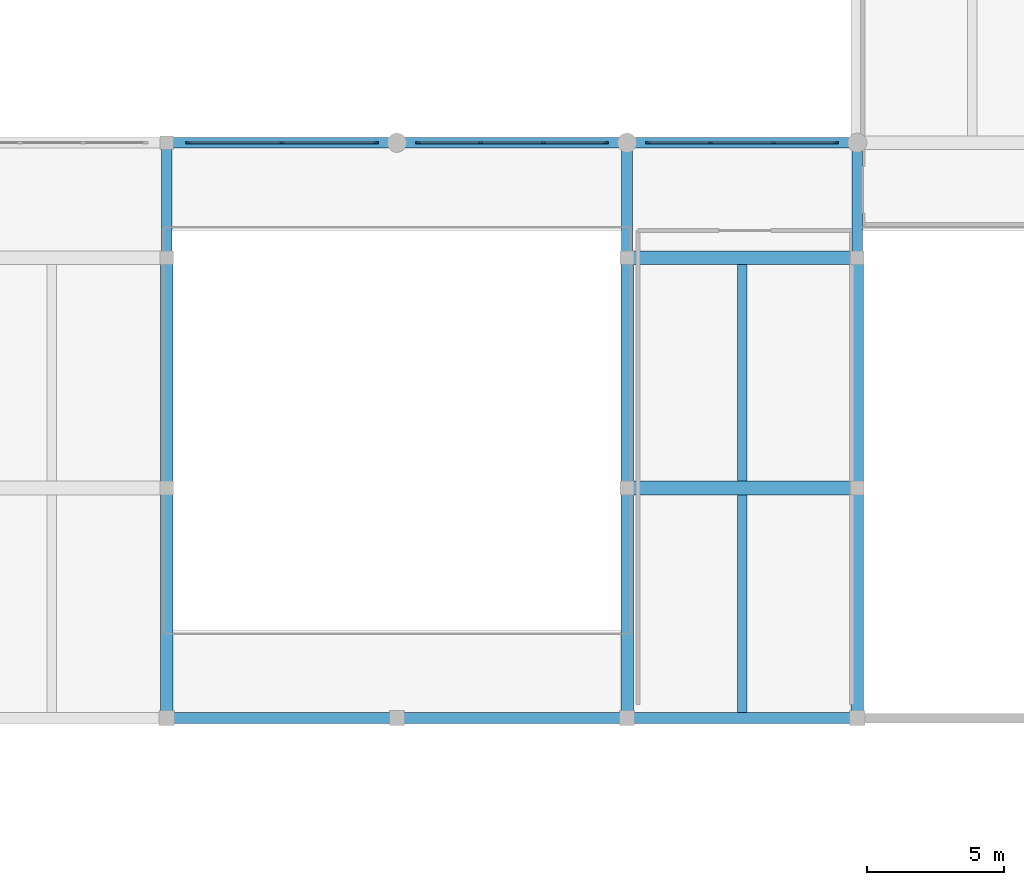
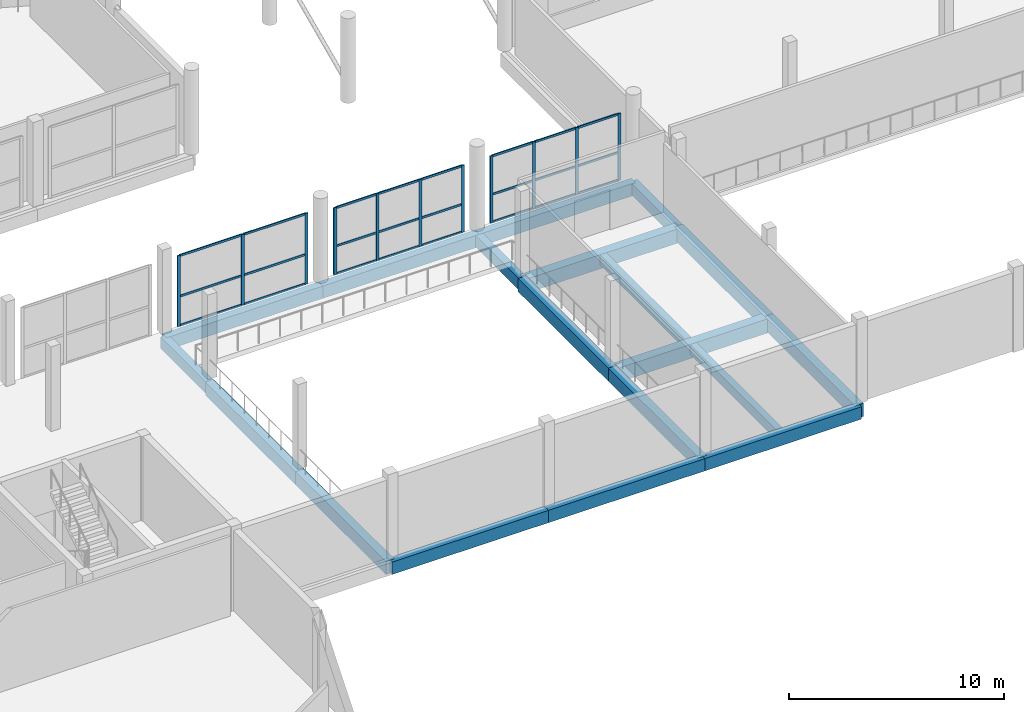
# One storey, part 19 of 47: 35 members, 19 beams, 3 elements without a shape of their own.
"""IFC4 building model written with IfcOpenShell, lengths in metres."""

from ifc_helpers import new_model, si_unit, direction, frame, origin, origin_2d, place, context, subcontext, project, spatial, rectangle, extrude, material, material_profile, profile_set, type_object, element, aggregate, save


model = new_model("IFC4")

# Units and contexts
model_context = context("Model", 3, precision=1e-05, world=origin(), true_north=direction((0.0, 1.0)))
body_context = subcontext(model_context, "Body", "Model", "MODEL_VIEW")
ifc_project = project(units=[si_unit("LENGTHUNIT", "METRE"), si_unit("AREAUNIT", "SQUARE_METRE"), si_unit("VOLUMEUNIT", "CUBIC_METRE"), si_unit("PLANEANGLEUNIT", "RADIAN"), si_unit("MASSUNIT", "GRAM", prefix="KILO")], contexts=[model_context])

# Site, building, storey
site_placement = place(None, origin())
site = spatial("IfcSite", under=ifc_project, at=site_placement, CompositionType="ELEMENT")
building_placement = place(site_placement, origin())
building = spatial("IfcBuilding", under=site, at=building_placement, Name="Vharandega Faculty of Natural Sciences", CompositionType="ELEMENT")
storey_placement = place(building_placement, frame((0.0, 0.0, 5.39990234375)))
storey = spatial("IfcBuildingStorey", under=building, at=storey_placement, Name="L01", CompositionType="ELEMENT", Elevation=5.39990234375)

# Curtain wall, members
ifc_material_1 = material(Name="Aluminium and solar-control glass curtain wall", Category="aluminium")
curtain_wall_type_1 = type_object("IfcCurtainWallType", Name="Unitised Curtain Wall System CW-28", PredefinedType="NOTDEFINED", material=ifc_material_1)
curtain_wall_1_placement = place(storey_placement, origin())
curtain_wall_1 = element("IfcCurtainWall", 1, at=curtain_wall_1_placement, inside=storey, type_object=curtain_wall_type_1, Name="Curtain Wall CW-L01-083", PredefinedType="NOTDEFINED")
ifc_material_2 = material(Name="Thermally broken aluminium 6063-T6", Category="aluminium")
ifc_material_profile_1 = material_profile(ifc_material_2, rectangle(XDim=0.06005859375, YDim=0.159912109375, at=origin_2d()), Name="ALU 60x160")
ifc_profile_set_1 = profile_set([ifc_material_profile_1], Name="Thermally broken aluminium 6063-T6")
member_type_1 = type_object("IfcMemberType", Name="CW Mullion 60x160", PredefinedType="MULLION", material=ifc_profile_set_1)
member_1_placement = place(storey_placement, frame((65.169921875, 85.0, 0.0), z_axis=(0.0, 0.0, 1.0), x_axis=(0.0, 1.0, 0.0)))
member_1 = element("IfcMember", 2, at=member_1_placement, type_object=member_type_1, Name="CW-28 mullion 1", PredefinedType="MULLION", context=body_context, shape_type="SweptSolid", body=[
    extrude(rectangle(XDim=0.06005859375, YDim=0.159912109375, at=origin_2d()), origin(), (0.0, 0.0, 1.0), 4.02001953125),
])
member_2_placement = place(storey_placement, frame((68.60009765625, 85.0, 0.0), z_axis=(0.0, 0.0, 1.0), x_axis=(0.0, 1.0, 0.0)))
member_2 = element("IfcMember", 3, at=member_2_placement, type_object=member_type_1, Name="CW-28 mullion 2", PredefinedType="MULLION", context=body_context, shape_type="SweptSolid", body=[
    extrude(rectangle(XDim=0.06005859375, YDim=0.159912109375, at=origin_2d()), origin(), (0.0, 0.0, 1.0), 4.02001953125),
])
member_3_placement = place(storey_placement, frame((72.030029296875, 85.0, 0.0), z_axis=(0.0, 0.0, 1.0), x_axis=(0.0, 1.0, 0.0)))
member_3 = element("IfcMember", 4, at=member_3_placement, type_object=member_type_1, Name="CW-28 mullion 3", PredefinedType="MULLION", context=body_context, shape_type="SweptSolid", body=[
    extrude(rectangle(XDim=0.06005859375, YDim=0.159912109375, at=origin_2d()), origin(), (0.0, 0.0, 1.0), 4.02001953125),
])

ifc_material_3 = material(Name="Aluminium and solar-control glass curtain wall", Category="aluminium")
curtain_wall_type_2 = type_object("IfcCurtainWallType", Name="Unitised Curtain Wall System CW-01", PredefinedType="NOTDEFINED", material=ifc_material_3)
curtain_wall_2_placement = place(storey_placement, origin())
curtain_wall_2 = element("IfcCurtainWall", 5, at=curtain_wall_2_placement, inside=storey, type_object=curtain_wall_type_2, Name="Curtain Wall CW-L01-084", PredefinedType="NOTDEFINED")
member_4_placement = place(storey_placement, frame((73.570068359375, 85.0, 0.0), z_axis=(0.0, 0.0, 1.0), x_axis=(0.0, 1.0, 0.0)))
member_4 = element("IfcMember", 6, at=member_4_placement, type_object=member_type_1, Name="CW-01 mullion 1", PredefinedType="MULLION", context=body_context, shape_type="SweptSolid", body=[
    extrude(rectangle(XDim=0.06005859375, YDim=0.159912109375, at=origin_2d()), origin(), (0.0, 0.0, 1.0), 3.800048828125),
])
member_5_placement = place(storey_placement, frame((75.8466796875, 85.0, 0.0), z_axis=(0.0, 0.0, 1.0), x_axis=(0.0, 1.0, 0.0)))
member_5 = element("IfcMember", 7, at=member_5_placement, type_object=member_type_1, Name="CW-01 mullion 2", PredefinedType="MULLION", context=body_context, shape_type="SweptSolid", body=[
    extrude(rectangle(XDim=0.06005859375, YDim=0.159912109375, at=origin_2d()), origin(), (0.0, 0.0, 1.0), 3.800048828125),
])
member_6_placement = place(storey_placement, frame((78.1533203125, 85.0, 0.0), z_axis=(0.0, 0.0, 1.0), x_axis=(0.0, 1.0, 0.0)))
member_6 = element("IfcMember", 8, at=member_6_placement, type_object=member_type_1, Name="CW-01 mullion 3", PredefinedType="MULLION", context=body_context, shape_type="SweptSolid", body=[
    extrude(rectangle(XDim=0.06005859375, YDim=0.159912109375, at=origin_2d()), origin(), (0.0, 0.0, 1.0), 3.800048828125),
])
member_7_placement = place(storey_placement, frame((80.429931640625, 85.0, 0.0), z_axis=(0.0, 0.0, 1.0), x_axis=(0.0, 1.0, 0.0)))
member_7 = element("IfcMember", 9, at=member_7_placement, type_object=member_type_1, Name="CW-01 mullion 4", PredefinedType="MULLION", context=body_context, shape_type="SweptSolid", body=[
    extrude(rectangle(XDim=0.06005859375, YDim=0.159912109375, at=origin_2d()), origin(), (0.0, 0.0, 1.0), 3.800048828125),
])

ifc_material_4 = material(Name="Aluminium and solar-control glass curtain wall", Category="aluminium")
curtain_wall_type_3 = type_object("IfcCurtainWallType", Name="Unitised Curtain Wall System CW-02", PredefinedType="NOTDEFINED", material=ifc_material_4)
curtain_wall_3_placement = place(storey_placement, origin())
curtain_wall_3 = element("IfcCurtainWall", 10, at=curtain_wall_3_placement, inside=storey, type_object=curtain_wall_type_3, Name="Curtain Wall CW-L01-085", PredefinedType="NOTDEFINED")
member_8_placement = place(storey_placement, frame((81.969970703125, 85.0, 0.0), z_axis=(0.0, 0.0, 1.0), x_axis=(0.0, 1.0, 0.0)))
member_8 = element("IfcMember", 11, at=member_8_placement, type_object=member_type_1, Name="CW-02 mullion 1", PredefinedType="MULLION", context=body_context, shape_type="SweptSolid", body=[
    extrude(rectangle(XDim=0.06005859375, YDim=0.159912109375, at=origin_2d()), origin(), (0.0, 0.0, 1.0), 3.800048828125),
])
member_9_placement = place(storey_placement, frame((84.24658203125, 85.0, 0.0), z_axis=(0.0, 0.0, 1.0), x_axis=(0.0, 1.0, 0.0)))
member_9 = element("IfcMember", 12, at=member_9_placement, type_object=member_type_1, Name="CW-02 mullion 2", PredefinedType="MULLION", context=body_context, shape_type="SweptSolid", body=[
    extrude(rectangle(XDim=0.06005859375, YDim=0.159912109375, at=origin_2d()), origin(), (0.0, 0.0, 1.0), 3.800048828125),
])
member_10_placement = place(storey_placement, frame((86.55322265625, 85.0, 0.0), z_axis=(0.0, 0.0, 1.0), x_axis=(0.0, 1.0, 0.0)))
member_10 = element("IfcMember", 13, at=member_10_placement, type_object=member_type_1, Name="CW-02 mullion 3", PredefinedType="MULLION", context=body_context, shape_type="SweptSolid", body=[
    extrude(rectangle(XDim=0.06005859375, YDim=0.159912109375, at=origin_2d()), origin(), (0.0, 0.0, 1.0), 3.800048828125),
])
member_11_placement = place(storey_placement, frame((88.830078125, 85.0, 0.0), z_axis=(0.0, 0.0, 1.0), x_axis=(0.0, 1.0, 0.0)))
member_11 = element("IfcMember", 14, at=member_11_placement, type_object=member_type_1, Name="CW-02 mullion 4", PredefinedType="MULLION", context=body_context, shape_type="SweptSolid", body=[
    extrude(rectangle(XDim=0.06005859375, YDim=0.159912109375, at=origin_2d()), origin(), (0.0, 0.0, 1.0), 3.800048828125),
])

# Member
ifc_material_5 = material(Name="Thermally broken aluminium 6063-T6", Category="aluminium")
ifc_material_profile_2 = material_profile(ifc_material_5, rectangle(XDim=0.06005859375, YDim=0.1201171875, at=origin_2d()), Name="ALU 60x120")
ifc_profile_set_2 = profile_set([ifc_material_profile_2], Name="Thermally broken aluminium 6063-T6")
member_type_2 = type_object("IfcMemberType", Name="CW Transom 60x120", PredefinedType="USERDEFINED", material=ifc_profile_set_2)
member_12_placement = place(storey_placement, frame((65.199951171875, 85.0, 0.030029296875), z_axis=(1.0, 0.0, 0.0), x_axis=(0.0, 1.0, 0.0)))
member_12 = element("IfcMember", 15, at=member_12_placement, type_object=member_type_2, Name="CW-28 transom 1.1", ObjectType="TRANSOM", PredefinedType="USERDEFINED", context=body_context, shape_type="SweptSolid", body=[
    extrude(rectangle(XDim=0.06005859375, YDim=0.1201171875, at=origin_2d()), origin(), (0.0, 0.0, 1.0), 3.3701171875),
])

member_13_placement = place(storey_placement, frame((65.199951171875, 85.0, 1.6884765625), z_axis=(1.0, 0.0, 0.0), x_axis=(0.0, 1.0, 0.0)))
member_13 = element("IfcMember", 16, at=member_13_placement, type_object=member_type_2, Name="CW-28 transom 1.2", ObjectType="TRANSOM", PredefinedType="USERDEFINED", context=body_context, shape_type="SweptSolid", body=[
    extrude(rectangle(XDim=0.06005859375, YDim=0.1201171875, at=origin_2d()), origin(), (0.0, 0.0, 1.0), 3.3701171875),
])

member_14_placement = place(storey_placement, frame((65.199951171875, 85.0, 3.989990234375), z_axis=(1.0, 0.0, 0.0), x_axis=(0.0, 1.0, 0.0)))
member_14 = element("IfcMember", 17, at=member_14_placement, type_object=member_type_2, Name="CW-28 transom 1.3", ObjectType="TRANSOM", PredefinedType="USERDEFINED", context=body_context, shape_type="SweptSolid", body=[
    extrude(rectangle(XDim=0.06005859375, YDim=0.1201171875, at=origin_2d()), origin(), (0.0, 0.0, 1.0), 3.3701171875),
])

member_15_placement = place(storey_placement, frame((68.6298828125, 85.0, 0.030029296875), z_axis=(1.0, 0.0, 0.0), x_axis=(0.0, 1.0, 0.0)))
member_15 = element("IfcMember", 18, at=member_15_placement, type_object=member_type_2, Name="CW-28 transom 2.1", ObjectType="TRANSOM", PredefinedType="USERDEFINED", context=body_context, shape_type="SweptSolid", body=[
    extrude(rectangle(XDim=0.06005859375, YDim=0.1201171875, at=origin_2d()), origin(), (0.0, 0.0, 1.0), 3.3701171875),
])

member_16_placement = place(storey_placement, frame((68.6298828125, 85.0, 1.6884765625), z_axis=(1.0, 0.0, 0.0), x_axis=(0.0, 1.0, 0.0)))
member_16 = element("IfcMember", 19, at=member_16_placement, type_object=member_type_2, Name="CW-28 transom 2.2", ObjectType="TRANSOM", PredefinedType="USERDEFINED", context=body_context, shape_type="SweptSolid", body=[
    extrude(rectangle(XDim=0.06005859375, YDim=0.1201171875, at=origin_2d()), origin(), (0.0, 0.0, 1.0), 3.3701171875),
])

member_17_placement = place(storey_placement, frame((68.6298828125, 85.0, 3.989990234375), z_axis=(1.0, 0.0, 0.0), x_axis=(0.0, 1.0, 0.0)))
member_17 = element("IfcMember", 20, at=member_17_placement, type_object=member_type_2, Name="CW-28 transom 2.3", ObjectType="TRANSOM", PredefinedType="USERDEFINED", context=body_context, shape_type="SweptSolid", body=[
    extrude(rectangle(XDim=0.06005859375, YDim=0.1201171875, at=origin_2d()), origin(), (0.0, 0.0, 1.0), 3.3701171875),
])

aggregate(curtain_wall_1, [member_1, member_2, member_3, member_12, member_13, member_14, member_15, member_16, member_17])

member_18_placement = place(storey_placement, frame((73.60009765625, 85.0, 0.030029296875), z_axis=(1.0, 0.0, 0.0), x_axis=(0.0, 1.0, 0.0)))
member_18 = element("IfcMember", 21, at=member_18_placement, type_object=member_type_2, Name="CW-01 transom 1.1", ObjectType="TRANSOM", PredefinedType="USERDEFINED", context=body_context, shape_type="SweptSolid", body=[
    extrude(rectangle(XDim=0.06005859375, YDim=0.1201171875, at=origin_2d()), origin(), (0.0, 0.0, 1.0), 2.216552734375),
])

member_19_placement = place(storey_placement, frame((73.60009765625, 85.0, 1.59619140625), z_axis=(1.0, 0.0, 0.0), x_axis=(0.0, 1.0, 0.0)))
member_19 = element("IfcMember", 22, at=member_19_placement, type_object=member_type_2, Name="CW-01 transom 1.2", ObjectType="TRANSOM", PredefinedType="USERDEFINED", context=body_context, shape_type="SweptSolid", body=[
    extrude(rectangle(XDim=0.06005859375, YDim=0.1201171875, at=origin_2d()), origin(), (0.0, 0.0, 1.0), 2.216552734375),
])

member_20_placement = place(storey_placement, frame((73.60009765625, 85.0, 3.77001953125), z_axis=(1.0, 0.0, 0.0), x_axis=(0.0, 1.0, 0.0)))
member_20 = element("IfcMember", 23, at=member_20_placement, type_object=member_type_2, Name="CW-01 transom 1.3", ObjectType="TRANSOM", PredefinedType="USERDEFINED", context=body_context, shape_type="SweptSolid", body=[
    extrude(rectangle(XDim=0.06005859375, YDim=0.1201171875, at=origin_2d()), origin(), (0.0, 0.0, 1.0), 2.216552734375),
])

member_21_placement = place(storey_placement, frame((75.876708984375, 85.0, 0.030029296875), z_axis=(1.0, 0.0, 0.0), x_axis=(0.0, 1.0, 0.0)))
member_21 = element("IfcMember", 24, at=member_21_placement, type_object=member_type_2, Name="CW-01 transom 2.1", ObjectType="TRANSOM", PredefinedType="USERDEFINED", context=body_context, shape_type="SweptSolid", body=[
    extrude(rectangle(XDim=0.06005859375, YDim=0.1201171875, at=origin_2d()), origin(), (0.0, 0.0, 1.0), 2.24658203125),
])

member_22_placement = place(storey_placement, frame((75.876708984375, 85.0, 1.59619140625), z_axis=(1.0, 0.0, 0.0), x_axis=(0.0, 1.0, 0.0)))
member_22 = element("IfcMember", 25, at=member_22_placement, type_object=member_type_2, Name="CW-01 transom 2.2", ObjectType="TRANSOM", PredefinedType="USERDEFINED", context=body_context, shape_type="SweptSolid", body=[
    extrude(rectangle(XDim=0.06005859375, YDim=0.1201171875, at=origin_2d()), origin(), (0.0, 0.0, 1.0), 2.24658203125),
])

member_23_placement = place(storey_placement, frame((75.876708984375, 85.0, 3.77001953125), z_axis=(1.0, 0.0, 0.0), x_axis=(0.0, 1.0, 0.0)))
member_23 = element("IfcMember", 26, at=member_23_placement, type_object=member_type_2, Name="CW-01 transom 2.3", ObjectType="TRANSOM", PredefinedType="USERDEFINED", context=body_context, shape_type="SweptSolid", body=[
    extrude(rectangle(XDim=0.06005859375, YDim=0.1201171875, at=origin_2d()), origin(), (0.0, 0.0, 1.0), 2.24658203125),
])

member_24_placement = place(storey_placement, frame((78.183349609375, 85.0, 0.030029296875), z_axis=(1.0, 0.0, 0.0), x_axis=(0.0, 1.0, 0.0)))
member_24 = element("IfcMember", 27, at=member_24_placement, type_object=member_type_2, Name="CW-01 transom 3.1", ObjectType="TRANSOM", PredefinedType="USERDEFINED", context=body_context, shape_type="SweptSolid", body=[
    extrude(rectangle(XDim=0.06005859375, YDim=0.1201171875, at=origin_2d()), origin(), (0.0, 0.0, 1.0), 2.216552734375),
])

member_25_placement = place(storey_placement, frame((78.183349609375, 85.0, 1.59619140625), z_axis=(1.0, 0.0, 0.0), x_axis=(0.0, 1.0, 0.0)))
member_25 = element("IfcMember", 28, at=member_25_placement, type_object=member_type_2, Name="CW-01 transom 3.2", ObjectType="TRANSOM", PredefinedType="USERDEFINED", context=body_context, shape_type="SweptSolid", body=[
    extrude(rectangle(XDim=0.06005859375, YDim=0.1201171875, at=origin_2d()), origin(), (0.0, 0.0, 1.0), 2.216552734375),
])

member_26_placement = place(storey_placement, frame((78.183349609375, 85.0, 3.77001953125), z_axis=(1.0, 0.0, 0.0), x_axis=(0.0, 1.0, 0.0)))
member_26 = element("IfcMember", 29, at=member_26_placement, type_object=member_type_2, Name="CW-01 transom 3.3", ObjectType="TRANSOM", PredefinedType="USERDEFINED", context=body_context, shape_type="SweptSolid", body=[
    extrude(rectangle(XDim=0.06005859375, YDim=0.1201171875, at=origin_2d()), origin(), (0.0, 0.0, 1.0), 2.216552734375),
])

aggregate(curtain_wall_2, [member_4, member_5, member_6, member_7, member_18, member_19, member_20, member_21, member_22, member_23, member_24, member_25, member_26])

member_27_placement = place(storey_placement, frame((82.0, 85.0, 0.030029296875), z_axis=(1.0, 0.0, 0.0), x_axis=(0.0, 1.0, 0.0)))
member_27 = element("IfcMember", 30, at=member_27_placement, type_object=member_type_2, Name="CW-02 transom 1.1", ObjectType="TRANSOM", PredefinedType="USERDEFINED", context=body_context, shape_type="SweptSolid", body=[
    extrude(rectangle(XDim=0.06005859375, YDim=0.1201171875, at=origin_2d()), origin(), (0.0, 0.0, 1.0), 2.216552734375),
])

member_28_placement = place(storey_placement, frame((82.0, 85.0, 1.59619140625), z_axis=(1.0, 0.0, 0.0), x_axis=(0.0, 1.0, 0.0)))
member_28 = element("IfcMember", 31, at=member_28_placement, type_object=member_type_2, Name="CW-02 transom 1.2", ObjectType="TRANSOM", PredefinedType="USERDEFINED", context=body_context, shape_type="SweptSolid", body=[
    extrude(rectangle(XDim=0.06005859375, YDim=0.1201171875, at=origin_2d()), origin(), (0.0, 0.0, 1.0), 2.216552734375),
])

member_29_placement = place(storey_placement, frame((82.0, 85.0, 3.77001953125), z_axis=(1.0, 0.0, 0.0), x_axis=(0.0, 1.0, 0.0)))
member_29 = element("IfcMember", 32, at=member_29_placement, type_object=member_type_2, Name="CW-02 transom 1.3", ObjectType="TRANSOM", PredefinedType="USERDEFINED", context=body_context, shape_type="SweptSolid", body=[
    extrude(rectangle(XDim=0.06005859375, YDim=0.1201171875, at=origin_2d()), origin(), (0.0, 0.0, 1.0), 2.216552734375),
])

member_30_placement = place(storey_placement, frame((84.276611328125, 85.0, 0.030029296875), z_axis=(1.0, 0.0, 0.0), x_axis=(0.0, 1.0, 0.0)))
member_30 = element("IfcMember", 33, at=member_30_placement, type_object=member_type_2, Name="CW-02 transom 2.1", ObjectType="TRANSOM", PredefinedType="USERDEFINED", context=body_context, shape_type="SweptSolid", body=[
    extrude(rectangle(XDim=0.06005859375, YDim=0.1201171875, at=origin_2d()), origin(), (0.0, 0.0, 1.0), 2.246826171875),
])

member_31_placement = place(storey_placement, frame((84.276611328125, 85.0, 1.59619140625), z_axis=(1.0, 0.0, 0.0), x_axis=(0.0, 1.0, 0.0)))
member_31 = element("IfcMember", 34, at=member_31_placement, type_object=member_type_2, Name="CW-02 transom 2.2", ObjectType="TRANSOM", PredefinedType="USERDEFINED", context=body_context, shape_type="SweptSolid", body=[
    extrude(rectangle(XDim=0.06005859375, YDim=0.1201171875, at=origin_2d()), origin(), (0.0, 0.0, 1.0), 2.246826171875),
])

member_32_placement = place(storey_placement, frame((84.276611328125, 85.0, 3.77001953125), z_axis=(1.0, 0.0, 0.0), x_axis=(0.0, 1.0, 0.0)))
member_32 = element("IfcMember", 35, at=member_32_placement, type_object=member_type_2, Name="CW-02 transom 2.3", ObjectType="TRANSOM", PredefinedType="USERDEFINED", context=body_context, shape_type="SweptSolid", body=[
    extrude(rectangle(XDim=0.06005859375, YDim=0.1201171875, at=origin_2d()), origin(), (0.0, 0.0, 1.0), 2.246826171875),
])

member_33_placement = place(storey_placement, frame((86.583251953125, 85.0, 0.030029296875), z_axis=(1.0, 0.0, 0.0), x_axis=(0.0, 1.0, 0.0)))
member_33 = element("IfcMember", 36, at=member_33_placement, type_object=member_type_2, Name="CW-02 transom 3.1", ObjectType="TRANSOM", PredefinedType="USERDEFINED", context=body_context, shape_type="SweptSolid", body=[
    extrude(rectangle(XDim=0.06005859375, YDim=0.1201171875, at=origin_2d()), origin(), (0.0, 0.0, 1.0), 2.216796875),
])

member_34_placement = place(storey_placement, frame((86.583251953125, 85.0, 1.59619140625), z_axis=(1.0, 0.0, 0.0), x_axis=(0.0, 1.0, 0.0)))
member_34 = element("IfcMember", 37, at=member_34_placement, type_object=member_type_2, Name="CW-02 transom 3.2", ObjectType="TRANSOM", PredefinedType="USERDEFINED", context=body_context, shape_type="SweptSolid", body=[
    extrude(rectangle(XDim=0.06005859375, YDim=0.1201171875, at=origin_2d()), origin(), (0.0, 0.0, 1.0), 2.216796875),
])

member_35_placement = place(storey_placement, frame((86.583251953125, 85.0, 3.77001953125), z_axis=(1.0, 0.0, 0.0), x_axis=(0.0, 1.0, 0.0)))
member_35 = element("IfcMember", 38, at=member_35_placement, type_object=member_type_2, Name="CW-02 transom 3.3", ObjectType="TRANSOM", PredefinedType="USERDEFINED", context=body_context, shape_type="SweptSolid", body=[
    extrude(rectangle(XDim=0.06005859375, YDim=0.1201171875, at=origin_2d()), origin(), (0.0, 0.0, 1.0), 2.216796875),
])

aggregate(curtain_wall_3, [member_8, member_9, member_10, member_11, member_27, member_28, member_29, member_30, member_31, member_32, member_33, member_34, member_35])

# Beams
ifc_material_6 = material(Name="Concrete C40/50", Category="concrete")
ifc_material_profile_3 = material_profile(ifc_material_6, rectangle(XDim=0.39990234375, YDim=0.64990234375, at=origin_2d()), Name="RC 400x650")
ifc_profile_set_3 = profile_set([ifc_material_profile_3], Name="Concrete C40/50")
beam_type_1 = type_object("IfcBeamType", Name="Podium Floor Beam 400x650", PredefinedType="BEAM", material=ifc_profile_set_3)
for number, where, z_axis, x_axis, name in (
    (39, (64.39990234375, 80.800048828125, -0.60498046875), (0.0, 1.0, 0.0), (-1.0, 0.0, 0.0), "Beam L01 9/L-M"),
    (40, (81.199951171875, 80.800048828125, -0.60498046875), (0.0, 1.0, 0.0), (-1.0, 0.0, 0.0), "Beam L01 11/L-M"),
    (41, (89.60009765625, 80.800048828125, -0.60498046875), (0.0, 1.0, 0.0), (-1.0, 0.0, 0.0), "Beam L01 12/L-M"),
):
    element("IfcBeam", number, at=place(storey_placement, frame(where, z_axis=z_axis, x_axis=x_axis)), inside=storey, type_object=beam_type_1, Name=name, PredefinedType="BEAM", context=body_context, shape_type="SweptSolid", body=[
        extrude(rectangle(XDim=0.39990234375, YDim=0.64990234375, at=origin_2d()), origin(), (0.0, 0.0, 1.0), 4.199951171875),
    ])
ifc_material_7 = material(Name="Concrete C40/50", Category="concrete")
ifc_material_profile_4 = material_profile(ifc_material_7, rectangle(XDim=0.5, YDim=0.800048828125, at=origin_2d()), Name="RC 500x800")
ifc_profile_set_4 = profile_set([ifc_material_profile_4], Name="Concrete C40/50")
beam_type_2 = type_object("IfcBeamType", Name="Podium Heavy Girder 500x800", PredefinedType="BEAM", material=ifc_profile_set_4)
for number, where, z_axis, x_axis, name in (
    (42, (81.199951171875, 72.39990234375, -0.679931640625), (1.0, 0.0, 0.0), (0.0, 1.0, 0.0), "Beam L01 K/11-12"),
    (43, (81.199951171875, 80.800048828125, -0.679931640625), (1.0, 0.0, 0.0), (0.0, 1.0, 0.0), "Beam L01 L/11-12"),
):
    element("IfcBeam", number, at=place(storey_placement, frame(where, z_axis=z_axis, x_axis=x_axis)), inside=storey, type_object=beam_type_2, Name=name, PredefinedType="BEAM", context=body_context, shape_type="SweptSolid", body=[
        extrude(rectangle(XDim=0.5, YDim=0.800048828125, at=origin_2d()), origin(), (0.0, 0.0, 1.0), 8.400146484375),
    ])
ifc_material_8 = material(Name="Concrete C40/50", Category="concrete")
ifc_material_profile_5 = material_profile(ifc_material_8, rectangle(XDim=0.35009765625, YDim=0.550048828125, at=origin_2d()), Name="RC 350x550")
ifc_profile_set_5 = profile_set([ifc_material_profile_5], Name="Concrete C40/50")
beam_type_3 = type_object("IfcBeamType", Name="Podium Secondary Beam 350x550", PredefinedType="JOIST", material=ifc_profile_set_5)
beam_1_placement = place(storey_placement, frame((85.39990234375, 64.199951171875, -0.554931640625), z_axis=(0.0, 1.0, 0.0), x_axis=(-1.0, 0.0, 0.0)))
element("IfcBeam", 44, at=beam_1_placement, inside=storey, type_object=beam_type_3, Name="Secondary Joist L01 11-12/J-K", PredefinedType="JOIST", context=body_context, shape_type="SweptSolid", body=[
    extrude(rectangle(XDim=0.35009765625, YDim=0.550048828125, at=origin_2d()), origin(), (0.0, 0.0, 1.0), 7.949951171875),
])
beam_2_placement = place(storey_placement, frame((85.39990234375, 72.64990234375, -0.554931640625), z_axis=(0.0, 1.0, 0.0), x_axis=(-1.0, 0.0, 0.0)))
element("IfcBeam", 45, at=beam_2_placement, inside=storey, type_object=beam_type_3, Name="Secondary Joist L01 11-12/K-L", PredefinedType="JOIST", context=body_context, shape_type="SweptSolid", body=[
    extrude(rectangle(XDim=0.35009765625, YDim=0.550048828125, at=origin_2d()), origin(), (0.0, 0.0, 1.0), 7.900146484375),
])
ifc_material_9 = material(Name="Concrete C40/50", Category="concrete")
ifc_material_profile_6 = material_profile(ifc_material_9, rectangle(XDim=0.39990234375, YDim=0.699951171875, at=origin_2d()), Name="RC 400x700")
ifc_profile_set_6 = profile_set([ifc_material_profile_6], Name="Concrete C40/50")
beam_type_4 = type_object("IfcBeamType", Name="Podium Spandrel Beam 400x700", PredefinedType="SPANDREL", material=ifc_profile_set_6)
beam_3_placement = place(storey_placement, frame((64.39990234375, 64.0, -0.6298828125), z_axis=(1.0, 0.0, 0.0), x_axis=(0.0, 1.0, 0.0)))
element("IfcBeam", 46, at=beam_3_placement, inside=storey, type_object=beam_type_4, Name="Beam L01 J/9-10", PredefinedType="SPANDREL", context=body_context, shape_type="SweptSolid", body=[
    extrude(rectangle(XDim=0.39990234375, YDim=0.699951171875, at=origin_2d()), origin(), (0.0, 0.0, 1.0), 8.400146484375),
])
beam_4_placement = place(storey_placement, frame((72.800048828125, 64.0, -0.6298828125), z_axis=(1.0, 0.0, 0.0), x_axis=(0.0, 1.0, 0.0)))
element("IfcBeam", 47, at=beam_4_placement, inside=storey, type_object=beam_type_4, Name="Beam L01 J/10-11", PredefinedType="SPANDREL", context=body_context, shape_type="SweptSolid", body=[
    extrude(rectangle(XDim=0.39990234375, YDim=0.699951171875, at=origin_2d()), origin(), (0.0, 0.0, 1.0), 8.39990234375),
])
for number, where, z_axis, x_axis, name in (
    (48, (81.199951171875, 64.0, -0.6298828125), (1.0, 0.0, 0.0), (0.0, 1.0, 0.0), "Beam L01 J/11-12"),
    (49, (64.39990234375, 85.0, -0.6298828125), (1.0, 0.0, 0.0), (0.0, 1.0, 0.0), "Beam L01 M/9-10"),
):
    element("IfcBeam", number, at=place(storey_placement, frame(where, z_axis=z_axis, x_axis=x_axis)), inside=storey, type_object=beam_type_4, Name=name, PredefinedType="SPANDREL", context=body_context, shape_type="SweptSolid", body=[
        extrude(rectangle(XDim=0.39990234375, YDim=0.699951171875, at=origin_2d()), origin(), (0.0, 0.0, 1.0), 8.400146484375),
    ])
beam_5_placement = place(storey_placement, frame((72.800048828125, 85.0, -0.6298828125), z_axis=(1.0, 0.0, 0.0), x_axis=(0.0, 1.0, 0.0)))
element("IfcBeam", 50, at=beam_5_placement, inside=storey, type_object=beam_type_4, Name="Beam L01 M/10-11", PredefinedType="SPANDREL", context=body_context, shape_type="SweptSolid", body=[
    extrude(rectangle(XDim=0.39990234375, YDim=0.699951171875, at=origin_2d()), origin(), (0.0, 0.0, 1.0), 8.39990234375),
])
beam_6_placement = place(storey_placement, frame((81.199951171875, 85.0, -0.6298828125), z_axis=(1.0, 0.0, 0.0), x_axis=(0.0, 1.0, 0.0)))
element("IfcBeam", 51, at=beam_6_placement, inside=storey, type_object=beam_type_4, Name="Beam L01 M/11-12", PredefinedType="SPANDREL", context=body_context, shape_type="SweptSolid", body=[
    extrude(rectangle(XDim=0.39990234375, YDim=0.699951171875, at=origin_2d()), origin(), (0.0, 0.0, 1.0), 8.400146484375),
])
ifc_material_10 = material(Name="Concrete C40/50", Category="concrete")
ifc_material_profile_7 = material_profile(ifc_material_10, rectangle(XDim=0.449951171875, YDim=0.75, at=origin_2d()), Name="RC 450x750")
ifc_profile_set_7 = profile_set([ifc_material_profile_7], Name="Concrete C40/50")
beam_type_5 = type_object("IfcBeamType", Name="Podium Spine Beam 450x750", PredefinedType="BEAM", material=ifc_profile_set_7)
beam_7_placement = place(storey_placement, frame((64.39990234375, 64.0, -0.65478515625), z_axis=(0.0, 1.0, 0.0), x_axis=(-1.0, 0.0, 0.0)))
element("IfcBeam", 52, at=beam_7_placement, inside=storey, type_object=beam_type_5, Name="Beam L01 9/J-K", PredefinedType="BEAM", context=body_context, shape_type="SweptSolid", body=[
    extrude(rectangle(XDim=0.449951171875, YDim=0.75, at=origin_2d()), origin(), (0.0, 0.0, 1.0), 8.39990234375),
])
beam_8_placement = place(storey_placement, frame((64.39990234375, 72.39990234375, -0.65478515625), z_axis=(0.0, 1.0, 0.0), x_axis=(-1.0, 0.0, 0.0)))
element("IfcBeam", 53, at=beam_8_placement, inside=storey, type_object=beam_type_5, Name="Beam L01 9/K-L", PredefinedType="BEAM", context=body_context, shape_type="SweptSolid", body=[
    extrude(rectangle(XDim=0.449951171875, YDim=0.75, at=origin_2d()), origin(), (0.0, 0.0, 1.0), 8.400146484375),
])
beam_9_placement = place(storey_placement, frame((81.199951171875, 64.0, -0.65478515625), z_axis=(0.0, 1.0, 0.0), x_axis=(-1.0, 0.0, 0.0)))
element("IfcBeam", 54, at=beam_9_placement, inside=storey, type_object=beam_type_5, Name="Beam L01 11/J-K", PredefinedType="BEAM", context=body_context, shape_type="SweptSolid", body=[
    extrude(rectangle(XDim=0.449951171875, YDim=0.75, at=origin_2d()), origin(), (0.0, 0.0, 1.0), 8.39990234375),
])
beam_10_placement = place(storey_placement, frame((81.199951171875, 72.39990234375, -0.65478515625), z_axis=(0.0, 1.0, 0.0), x_axis=(-1.0, 0.0, 0.0)))
element("IfcBeam", 55, at=beam_10_placement, inside=storey, type_object=beam_type_5, Name="Beam L01 11/K-L", PredefinedType="BEAM", context=body_context, shape_type="SweptSolid", body=[
    extrude(rectangle(XDim=0.449951171875, YDim=0.75, at=origin_2d()), origin(), (0.0, 0.0, 1.0), 8.400146484375),
])
beam_11_placement = place(storey_placement, frame((89.60009765625, 64.0, -0.65478515625), z_axis=(0.0, 1.0, 0.0), x_axis=(-1.0, 0.0, 0.0)))
element("IfcBeam", 56, at=beam_11_placement, inside=storey, type_object=beam_type_5, Name="Beam L01 12/J-K", PredefinedType="BEAM", context=body_context, shape_type="SweptSolid", body=[
    extrude(rectangle(XDim=0.449951171875, YDim=0.75, at=origin_2d()), origin(), (0.0, 0.0, 1.0), 8.39990234375),
])
beam_12_placement = place(storey_placement, frame((89.60009765625, 72.39990234375, -0.65478515625), z_axis=(0.0, 1.0, 0.0), x_axis=(-1.0, 0.0, 0.0)))
element("IfcBeam", 57, at=beam_12_placement, inside=storey, type_object=beam_type_5, Name="Beam L01 12/K-L", PredefinedType="BEAM", context=body_context, shape_type="SweptSolid", body=[
    extrude(rectangle(XDim=0.449951171875, YDim=0.75, at=origin_2d()), origin(), (0.0, 0.0, 1.0), 8.400146484375),
])

save(model, "model.ifc")
